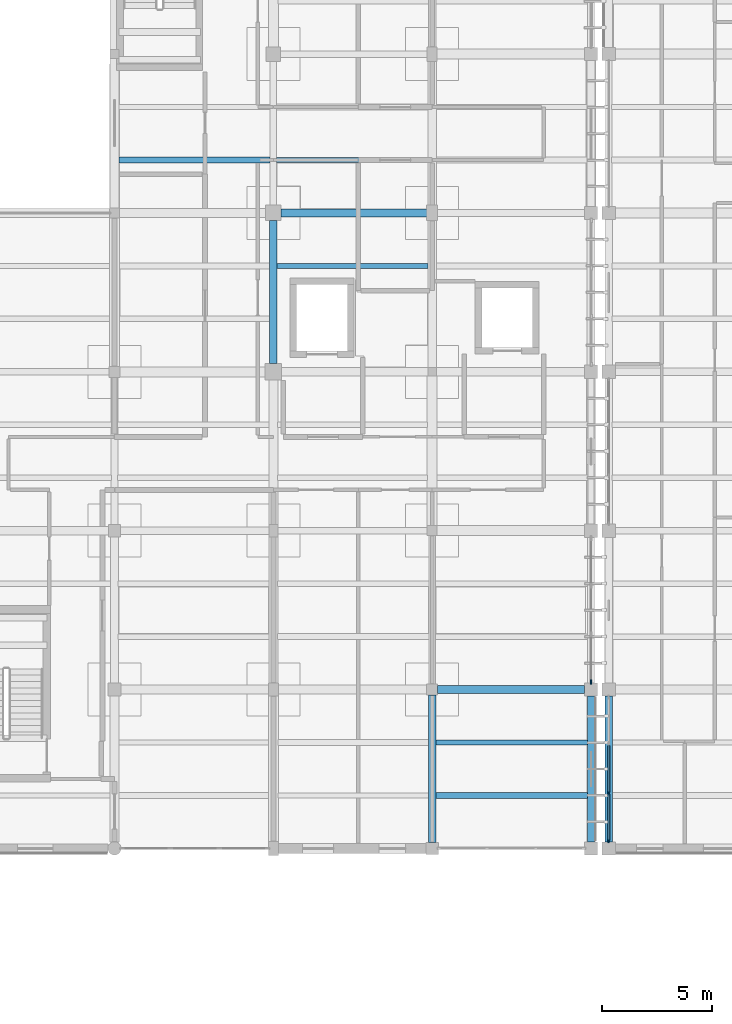
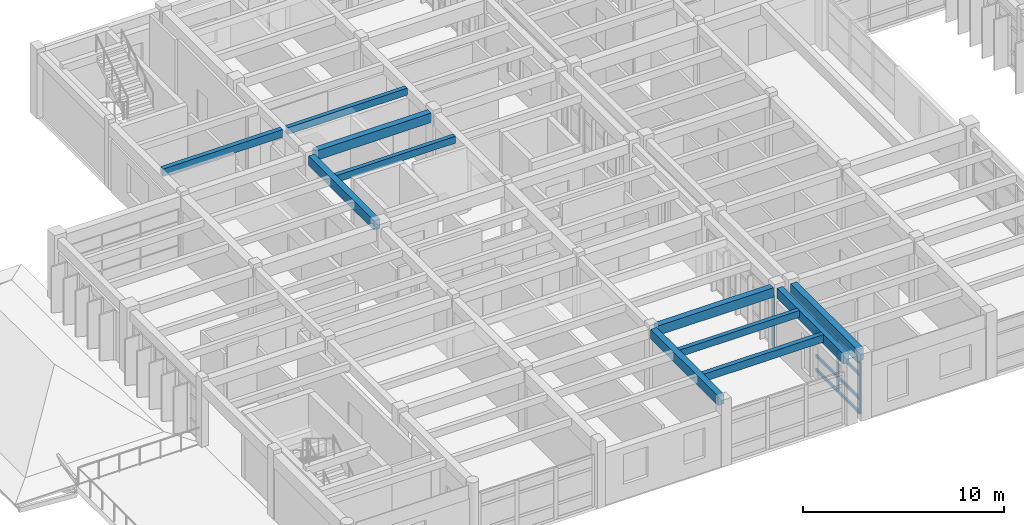
# One storey, part 17 of 100: 11 beams, 11 members, 2 elements without a shape of their own.
"""IFC4 building model written with IfcOpenShell, lengths in metres."""

import ifcopenshell
import ifcopenshell.guid

model = None  # the IFC model being written
_history = None  # IfcOwnerHistory: only IFC2X3 demands one
_inside = {}  # id of a spatial element -> (the spatial element, [elements in it])
_under = {}  # id of a project, library or spatial element -> (it, [spatial elements below it])
_declared = {}  # id of a project -> (the project, [libraries it declares])
_typed = {}  # id of a type object -> (the type object, [elements of that type])
_made_of = {}  # id of a material, layer set ... -> (it, [elements and type objects made of it])


def new_model(schema):
    """Start an empty IFC model of exactly this schema.

    Asked for "IFC4X3", IfcOpenShell would pick the latest addendum, in which some entities
    have other attributes; the version numbers below select the first issue.
    IFC2X3 requires an IfcOwnerHistory on every rooted entity: one is made here for all.
    """
    global model, _history
    if schema == "IFC4X3":
        model = ifcopenshell.file(schema_version=(4, 3, 0, 0))
    else:
        model = ifcopenshell.file(schema=schema)
    _inside.clear()
    _under.clear()
    _declared.clear()
    _typed.clear()
    _made_of.clear()
    _history = None
    if model.schema == "IFC2X3":
        org = make("IfcOrganization", Name="unknown")
        user = make(
            "IfcPersonAndOrganization",
            ThePerson=make("IfcPerson", FamilyName="unknown"),
            TheOrganization=org,
        )
        app = make(
            "IfcApplication",
            ApplicationDeveloper=org,
            Version="unknown",
            ApplicationFullName="unknown",
            ApplicationIdentifier="unknown",
        )
        _history = make(
            "IfcOwnerHistory",
            OwningUser=user,
            OwningApplication=app,
            ChangeAction="ADDED",
            CreationDate=0,
        )
    return model


def make(cls, **values):
    """One entity of the class cls with the attributes given. An attribute that is None is left unset."""
    return model.create_entity(
        cls, **{name: value for name, value in values.items() if value is not None}
    )


def rooted(cls, **values):
    """An entity with a GlobalId (a new one), such as an element, a storey or a relation."""
    return make(cls, GlobalId=ifcopenshell.guid.new(), OwnerHistory=_history, **values)


def si_unit(unit_type, name, prefix=None):
    """IfcSIUnit, for example si_unit("LENGTHUNIT", "METRE", prefix="MILLI")."""
    return make("IfcSIUnit", UnitType=unit_type, Prefix=prefix, Name=name)


def assignment(units):
    """IfcUnitAssignment: the units of a project."""
    return None if units is None else make("IfcUnitAssignment", Units=units)


def point(xyz):
    """IfcCartesianPoint."""
    return None if xyz is None else make("IfcCartesianPoint", Coordinates=xyz)


def direction(xyz):
    """IfcDirection."""
    return None if xyz is None else make("IfcDirection", DirectionRatios=xyz)


def frame(location, z_axis=None, x_axis=None):
    """IfcAxis2Placement3D, a coordinate frame: its origin and axes. An axis left out is left unset."""
    return make(
        "IfcAxis2Placement3D",
        Location=point(location),
        Axis=direction(z_axis),
        RefDirection=direction(x_axis),
    )


def frame_2d(location, x_axis=None):
    """IfcAxis2Placement2D, a coordinate frame in the plane: its origin and x axis."""
    return make(
        "IfcAxis2Placement2D", Location=point(location), RefDirection=direction(x_axis)
    )


def origin():
    """The frame at (0, 0, 0) with its axes left unset."""
    return frame((0.0, 0.0, 0.0))


def origin_2d():
    """The frame at (0, 0) in the plane with its x axis left unset."""
    return frame_2d((0.0, 0.0))


def place(relative_to, where):
    """IfcLocalPlacement: puts the frame where relative to a parent placement (None: the world)."""
    return make(
        "IfcLocalPlacement", PlacementRelTo=relative_to, RelativePlacement=where
    )


def context(
    kind, dimensions, precision=None, world=None, true_north=None, identifier=None
):
    """IfcGeometricRepresentationContext, for example the 3D "Model" context."""
    return make(
        "IfcGeometricRepresentationContext",
        ContextIdentifier=identifier,
        ContextType=kind,
        CoordinateSpaceDimension=dimensions,
        Precision=precision,
        WorldCoordinateSystem=world,
        TrueNorth=true_north,
    )


def subcontext(parent, identifier, kind, view, scale=None):
    """IfcGeometricRepresentationSubContext, for example "Body" below "Model"."""
    return make(
        "IfcGeometricRepresentationSubContext",
        ContextIdentifier=identifier,
        ContextType=kind,
        ParentContext=parent,
        TargetScale=scale,
        TargetView=view,
    )


def project(units=None, contexts=None):
    """IfcProject with its units and contexts."""
    return rooted(
        "IfcProject",
        Name="project",
        RepresentationContexts=contexts,
        UnitsInContext=assignment(units),
    )


def spatial(cls, under=None, at=None, **own):
    """A site, building, storey or space (cls), placed at a placement, below another one or the project."""
    s = rooted(cls, ObjectPlacement=at, **own)
    if under is not None:
        _under.setdefault(under.id(), (under, []))[1].append(s)
    return s


def profile(cls, at=None, kind="AREA", **sizes):
    """A parametric profile (cls). Its sizes go by their IFC names, for example OverallWidth=200.0."""
    return make(cls, ProfileType=kind, Position=at, **sizes)


def rectangle(**sizes):
    """IfcRectangleProfileDef."""
    return profile("IfcRectangleProfileDef", **sizes)


def extrude(swept, where, along, depth):
    """IfcExtrudedAreaSolid: the profile swept, set in the frame where, extruded along a direction by depth."""
    return make(
        "IfcExtrudedAreaSolid",
        SweptArea=swept,
        Position=where,
        ExtrudedDirection=direction(along),
        Depth=depth,
    )


def shape(context_of_items, identifier, shape_type, items):
    """IfcShapeRepresentation: the items that make up one representation, for example the "Body"."""
    return make(
        "IfcShapeRepresentation",
        ContextOfItems=context_of_items,
        RepresentationIdentifier=identifier,
        RepresentationType=shape_type,
        Items=items,
    )


def material(Name=None, Category=None):
    """IfcMaterial."""
    return make("IfcMaterial", Name=Name, Category=Category)


def material_profile(
    of_material, cross_section, Name=None, Category=None, Priority=None
):
    """IfcMaterialProfile: a cross section and its material."""
    return make(
        "IfcMaterialProfile",
        Name=Name,
        Material=of_material,
        Profile=cross_section,
        Priority=Priority,
        Category=Category,
    )


def profile_set(profiles, Name=None, composite=None):
    """IfcMaterialProfileSet."""
    return make(
        "IfcMaterialProfileSet",
        Name=Name,
        MaterialProfiles=profiles,
        CompositeProfile=composite,
    )


def made_of(thing, what):
    """Note that an element or type object is made of a material, layer set ...; save() writes the relation."""
    if what is not None:
        _made_of.setdefault(what.id(), (what, []))[1].append(thing)
    return thing


def type_object(cls, material=None, **own):
    """A type object (cls), such as IfcWallType, which elements share."""
    return made_of(rooted(cls, **own), material)


def element(
    cls,
    number,
    at=None,
    inside=None,
    cuts=None,
    type_object=None,
    material=None,
    context=None,
    identifier="Body",
    shape_type=None,
    held_by="IfcProductDefinitionShape",
    body=None,
    shapes=None,
    **own,
):
    """One element of the class cls, such as IfcWall. Its Tag is "e" and its number.

    at: its placement. inside: the storey or other place that contains it. cuts: it is an
    opening in that element (IfcRelVoidsElement). A single representation is given by context,
    identifier, shape_type and body (its items); several are given by shapes. held_by: the class
    of the entity that holds the representations. save() writes the other relations.
    """
    e = rooted(cls, Tag="e%d" % number, ObjectPlacement=at, **own)
    if body is not None:
        shapes = [shape(context, identifier, shape_type, body)]
    if shapes is not None:
        e.Representation = make(held_by, Representations=shapes)
    if inside is not None:
        _inside.setdefault(inside.id(), (inside, []))[1].append(e)
    if cuts is not None:
        rooted(
            "IfcRelVoidsElement", RelatingBuildingElement=cuts, RelatedOpeningElement=e
        )
    if type_object is not None:
        _typed.setdefault(type_object.id(), (type_object, []))[1].append(e)
    return made_of(e, material)


def aggregate(whole, parts):
    """IfcRelAggregates: a whole, such as a stair, and the parts it consists of."""
    return rooted("IfcRelAggregates", RelatingObject=whole, RelatedObjects=parts)


def save(model, path):
    """Write the relations noted so far, then the file.

    IfcRelAggregates (storeys below a building ...), IfcRelContainedInSpatialStructure (elements
    in a storey), IfcRelDefinesByType, IfcRelAssociatesMaterial and IfcRelDeclares: one each for
    every whole, place, type object, material and project.
    """
    for whole, parts in _under.values():
        aggregate(whole, parts)
    for where, things in _inside.values():
        rooted(
            "IfcRelContainedInSpatialStructure",
            RelatedElements=things,
            RelatingStructure=where,
        )
    for kind, things in _typed.values():
        rooted("IfcRelDefinesByType", RelatedObjects=things, RelatingType=kind)
    for what, things in _made_of.values():
        rooted("IfcRelAssociatesMaterial", RelatedObjects=things, RelatingMaterial=what)
    for by, libraries in _declared.values():
        rooted("IfcRelDeclares", RelatingContext=by, RelatedDefinitions=libraries)
    model.write(path)


model = new_model("IFC4")

# Units and contexts
model_context = context("Model", 3, precision=1e-05, world=origin(), true_north=direction((0.0, 1.0)))
body_context = subcontext(model_context, "Body", "Model", "MODEL_VIEW")
ifc_project = project(units=[si_unit("LENGTHUNIT", "METRE"), si_unit("AREAUNIT", "SQUARE_METRE"), si_unit("VOLUMEUNIT", "CUBIC_METRE"), si_unit("PLANEANGLEUNIT", "RADIAN"), si_unit("MASSUNIT", "GRAM", prefix="KILO")], contexts=[model_context])

# Site, building, storey
site_placement = place(None, origin())
site = spatial("IfcSite", under=ifc_project, at=site_placement, CompositionType="ELEMENT")
building_placement = place(site_placement, origin())
building = spatial("IfcBuilding", under=site, at=building_placement, Name="Steenspoor Specialist Clinic", CompositionType="ELEMENT")
storey_placement = place(building_placement, frame((0.0, 0.0, 9.0)))
storey = spatial("IfcBuildingStorey", under=building, at=storey_placement, Name="L02", CompositionType="ELEMENT", Elevation=9.0)

# Beams
ifc_material_1 = material(Name="Concrete C35/45", Category="concrete")
ifc_material_profile_1 = material_profile(ifc_material_1, rectangle(XDim=0.35009765625, YDim=0.580078125, at=origin_2d()), Name="RC-BM-350X580")
ifc_profile_set_1 = profile_set([ifc_material_profile_1], Name="Concrete C35/45")
beam_type_1 = type_object("IfcBeamType", Name="BM-RC-350X580", PredefinedType="BEAM", material=ifc_profile_set_1)
beam_1_placement = place(storey_placement, frame((44.64501953125, 72.35009765625, 3.659912109375), z_axis=(1.0, 0.0, 0.0), x_axis=(0.0, 1.0, 0.0)))
element("IfcBeam", 1, at=beam_1_placement, inside=storey, type_object=beam_type_1, Name="BM-V5-L02-X1252", PredefinedType="BEAM", context=body_context, shape_type="SweptSolid", body=[
    extrude(rectangle(XDim=0.35009765625, YDim=0.580078125, at=origin_2d()), origin(), (0.0, 0.0, 1.0), 6.659912109375),
])
beam_2_placement = place(storey_placement, frame((37.544921875, 93.949951171875, 3.659912109375), z_axis=(1.0, 0.0, 0.0), x_axis=(0.0, 1.0, 0.0)))
element("IfcBeam", 2, at=beam_2_placement, inside=storey, type_object=beam_type_1, Name="BM-V5-L02-X1263", PredefinedType="BEAM", context=body_context, shape_type="SweptSolid", body=[
    extrude(rectangle(XDim=0.35009765625, YDim=0.580078125, at=origin_2d()), origin(), (0.0, 0.0, 1.0), 6.610107421875),
])
beam_3_placement = place(storey_placement, frame((37.199951171875, 87.1201171875, 3.659912109375), z_axis=(0.0, 1.0, 0.0), x_axis=(-1.0, 0.0, 0.0)))
element("IfcBeam", 3, at=beam_3_placement, inside=storey, type_object=beam_type_1, Name="BM-V5-L02-Y1283", PredefinedType="BEAM", context=body_context, shape_type="SweptSolid", body=[
    extrude(rectangle(XDim=0.35009765625, YDim=0.580078125, at=origin_2d()), origin(), (0.0, 0.0, 1.0), 6.48486328125),
])
beam_4_placement = place(storey_placement, frame((44.39990234375, 65.419921875, 3.659912109375), z_axis=(0.0, 1.0, 0.0), x_axis=(-1.0, 0.0, 0.0)))
element("IfcBeam", 4, at=beam_4_placement, inside=storey, type_object=beam_type_1, Name="BM-V5-L02-Y1286", PredefinedType="BEAM", context=body_context, shape_type="SweptSolid", body=[
    extrude(rectangle(XDim=0.35009765625, YDim=0.580078125, at=origin_2d()), origin(), (0.0, 0.0, 1.0), 6.68505859375),
])

# Curtain wall, members
ifc_material_2 = material(Name="Thermally broken aluminium and low-emissivity glass", Category="aluminium")
curtain_wall_type_1 = type_object("IfcCurtainWallType", Name="CW-L00-240X415", PredefinedType="USERDEFINED", material=ifc_material_2)
curtain_wall_1_placement = place(storey_placement, origin())
curtain_wall_1 = element("IfcCurtainWall", 5, at=curtain_wall_1_placement, inside=storey, type_object=curtain_wall_type_1, Name="Unitised Curtain Wall CW-V4-L02-104", ObjectType="UNITISED GLAZING", PredefinedType="USERDEFINED")
ifc_material_3 = material(Name="Thermally broken aluminium 6063-T6", Category="aluminium")
ifc_material_profile_2 = material_profile(ifc_material_3, rectangle(XDim=0.070068359375, YDim=0.1650390625, at=origin_2d()), Name="CWM-70X165")
ifc_profile_set_2 = profile_set([ifc_material_profile_2], Name="Thermally broken aluminium 6063-T6")
member_type_1 = type_object("IfcMemberType", Name="CW-MULL-70X165", PredefinedType="MULLION", material=ifc_profile_set_2)
member_1_placement = place(storey_placement, frame((52.39990234375, 65.485107421875, 0.0), z_axis=(0.0, 0.0, 1.0), x_axis=(-1.0, 0.0, 0.0)))
member_1 = element("IfcMember", 6, at=member_1_placement, type_object=member_type_1, Name="CW-08 mullion 1", PredefinedType="MULLION", context=body_context, shape_type="SweptSolid", body=[
    extrude(rectangle(XDim=0.070068359375, YDim=0.1650390625, at=origin_2d()), origin(), (0.0, 0.0, 1.0), 3.1298828125),
])
member_2_placement = place(storey_placement, frame((52.39990234375, 67.64990234375, 0.0), z_axis=(0.0, 0.0, 1.0), x_axis=(-1.0, 0.0, 0.0)))
member_2 = element("IfcMember", 7, at=member_2_placement, type_object=member_type_1, Name="CW-08 mullion 2", PredefinedType="MULLION", context=body_context, shape_type="SweptSolid", body=[
    extrude(rectangle(XDim=0.070068359375, YDim=0.1650390625, at=origin_2d()), origin(), (0.0, 0.0, 1.0), 3.1298828125),
])

# Curtain wall, member
curtain_wall_type_2 = type_object("IfcCurtainWallType", Name="CW-TYP-480X355", PredefinedType="USERDEFINED", material=ifc_material_2)
curtain_wall_2_placement = place(storey_placement, origin())
curtain_wall_2 = element("IfcCurtainWall", 8, at=curtain_wall_2_placement, inside=storey, type_object=curtain_wall_type_2, Name="Unitised Curtain Wall CW-V5-L02-156", ObjectType="UNITISED GLAZING", PredefinedType="USERDEFINED")
ifc_material_profile_3 = material_profile(ifc_material_3, rectangle(XDim=0.080078125, YDim=0.219970703125, at=origin_2d()), Name="CWM-80X220")
ifc_profile_set_3 = profile_set([ifc_material_profile_3], Name="Thermally broken aluminium 6063-T6")
member_type_2 = type_object("IfcMemberType", Name="CW-MULL-80X220", PredefinedType="MULLION", material=ifc_profile_set_3)
member_3_placement = place(storey_placement, frame((51.60009765625, 72.68994140625, 0.0), z_axis=(0.0, 0.0, 1.0), x_axis=(1.0, 0.0, 0.0)))
member_3 = element("IfcMember", 9, at=member_3_placement, type_object=member_type_2, Name="CW-12 mullion 4", PredefinedType="MULLION", context=body_context, shape_type="SweptSolid", body=[
    extrude(rectangle(XDim=0.080078125, YDim=0.219970703125, at=origin_2d()), origin(), (0.0, 0.0, 1.0), 3.1298828125),
])
aggregate(curtain_wall_2, [member_3])

# Member
ifc_material_profile_4 = material_profile(ifc_material_3, rectangle(XDim=0.090087890625, YDim=0.175048828125, at=origin_2d()), Name="CWT-90X175")
ifc_profile_set_4 = profile_set([ifc_material_profile_4], Name="Thermally broken aluminium 6063-T6")
member_type_3 = type_object("IfcMemberType", Name="CW-TRAN-90X175", PredefinedType="USERDEFINED", material=ifc_profile_set_4)
member_4_placement = place(storey_placement, frame((52.39990234375, 65.52001953125, 0.044921875), z_axis=(0.0, 1.0, 0.0), x_axis=(-1.0, 0.0, 0.0)))
member_4 = element("IfcMember", 10, at=member_4_placement, type_object=member_type_3, Name="CW-08 transom 1.1", ObjectType="TRANSOM", PredefinedType="USERDEFINED", context=body_context, shape_type="SweptSolid", body=[
    extrude(rectangle(XDim=0.090087890625, YDim=0.175048828125, at=origin_2d()), origin(), (0.0, 0.0, 1.0), 2.094970703125),
])

member_5_placement = place(storey_placement, frame((52.39990234375, 65.52001953125, 0.89990234375), z_axis=(0.0, 1.0, 0.0), x_axis=(-1.0, 0.0, 0.0)))
member_5 = element("IfcMember", 11, at=member_5_placement, type_object=member_type_3, Name="CW-08 transom 1.2", ObjectType="TRANSOM", PredefinedType="USERDEFINED", context=body_context, shape_type="SweptSolid", body=[
    extrude(rectangle(XDim=0.090087890625, YDim=0.175048828125, at=origin_2d()), origin(), (0.0, 0.0, 1.0), 2.094970703125),
])

member_6_placement = place(storey_placement, frame((52.39990234375, 65.52001953125, 2.35009765625), z_axis=(0.0, 1.0, 0.0), x_axis=(-1.0, 0.0, 0.0)))
member_6 = element("IfcMember", 12, at=member_6_placement, type_object=member_type_3, Name="CW-08 transom 1.3", ObjectType="TRANSOM", PredefinedType="USERDEFINED", context=body_context, shape_type="SweptSolid", body=[
    extrude(rectangle(XDim=0.090087890625, YDim=0.175048828125, at=origin_2d()), origin(), (0.0, 0.0, 1.0), 2.094970703125),
])

member_7_placement = place(storey_placement, frame((52.39990234375, 65.52001953125, 3.0849609375), z_axis=(0.0, 1.0, 0.0), x_axis=(-1.0, 0.0, 0.0)))
member_7 = element("IfcMember", 13, at=member_7_placement, type_object=member_type_3, Name="CW-08 transom 1.4", ObjectType="TRANSOM", PredefinedType="USERDEFINED", context=body_context, shape_type="SweptSolid", body=[
    extrude(rectangle(XDim=0.090087890625, YDim=0.175048828125, at=origin_2d()), origin(), (0.0, 0.0, 1.0), 2.094970703125),
])

member_8_placement = place(storey_placement, frame((52.39990234375, 67.68505859375, 0.044921875), z_axis=(0.0, 1.0, 0.0), x_axis=(-1.0, 0.0, 0.0)))
member_8 = element("IfcMember", 14, at=member_8_placement, type_object=member_type_3, Name="CW-08 transom 2.1", ObjectType="TRANSOM", PredefinedType="USERDEFINED", context=body_context, shape_type="SweptSolid", body=[
    extrude(rectangle(XDim=0.090087890625, YDim=0.175048828125, at=origin_2d()), origin(), (0.0, 0.0, 1.0), 2.1298828125),
])

member_9_placement = place(storey_placement, frame((52.39990234375, 67.68505859375, 0.89990234375), z_axis=(0.0, 1.0, 0.0), x_axis=(-1.0, 0.0, 0.0)))
member_9 = element("IfcMember", 15, at=member_9_placement, type_object=member_type_3, Name="CW-08 transom 2.2", ObjectType="TRANSOM", PredefinedType="USERDEFINED", context=body_context, shape_type="SweptSolid", body=[
    extrude(rectangle(XDim=0.090087890625, YDim=0.175048828125, at=origin_2d()), origin(), (0.0, 0.0, 1.0), 2.1298828125),
])

member_10_placement = place(storey_placement, frame((52.39990234375, 67.68505859375, 2.35009765625), z_axis=(0.0, 1.0, 0.0), x_axis=(-1.0, 0.0, 0.0)))
member_10 = element("IfcMember", 16, at=member_10_placement, type_object=member_type_3, Name="CW-08 transom 2.3", ObjectType="TRANSOM", PredefinedType="USERDEFINED", context=body_context, shape_type="SweptSolid", body=[
    extrude(rectangle(XDim=0.090087890625, YDim=0.175048828125, at=origin_2d()), origin(), (0.0, 0.0, 1.0), 2.1298828125),
])

member_11_placement = place(storey_placement, frame((52.39990234375, 67.68505859375, 3.0849609375), z_axis=(0.0, 1.0, 0.0), x_axis=(-1.0, 0.0, 0.0)))
member_11 = element("IfcMember", 17, at=member_11_placement, type_object=member_type_3, Name="CW-08 transom 2.4", ObjectType="TRANSOM", PredefinedType="USERDEFINED", context=body_context, shape_type="SweptSolid", body=[
    extrude(rectangle(XDim=0.090087890625, YDim=0.175048828125, at=origin_2d()), origin(), (0.0, 0.0, 1.0), 2.1298828125),
])

aggregate(curtain_wall_1, [member_1, member_2, member_4, member_5, member_6, member_7, member_8, member_9, member_10, member_11])

# Beams
ifc_material_profile_5 = material_profile(ifc_material_1, rectangle(XDim=0.239990234375, YDim=0.419921875, at=origin_2d()), Name="RC-JT-240X420")
ifc_profile_set_5 = profile_set([ifc_material_profile_5], Name="Concrete C35/45")
beam_type_2 = type_object("IfcBeamType", Name="JT-RC-240X420", PredefinedType="JOIST", material=ifc_profile_set_5)
beam_5_placement = place(storey_placement, frame((37.3701171875, 91.550048828125, 3.739990234375), z_axis=(1.0, 0.0, 0.0), x_axis=(0.0, 1.0, 0.0)))
element("IfcBeam", 18, at=beam_5_placement, inside=storey, type_object=beam_type_2, Name="JT-V5-L02-1320", PredefinedType="JOIST", context=body_context, shape_type="SweptSolid", body=[
    extrude(rectangle(XDim=0.239990234375, YDim=0.419921875, at=origin_2d()), origin(), (0.0, 0.0, 1.0), 6.8349609375),
])
beam_6_placement = place(storey_placement, frame((37.344970703125, 96.35009765625, 3.739990234375), z_axis=(1.0, 0.0, 0.0), x_axis=(0.0, 1.0, 0.0)))
element("IfcBeam", 19, at=beam_6_placement, inside=storey, type_object=beam_type_2, Name="JT-V5-L02-1321", PredefinedType="JOIST", context=body_context, shape_type="SweptSolid", body=[
    extrude(rectangle(XDim=0.239990234375, YDim=0.419921875, at=origin_2d()), origin(), (0.0, 0.0, 1.0), 6.860107421875),
])
beam_7_placement = place(storey_placement, frame((44.570068359375, 69.949951171875, 3.739990234375), z_axis=(1.0, 0.0, 0.0), x_axis=(0.0, 1.0, 0.0)))
element("IfcBeam", 20, at=beam_7_placement, inside=storey, type_object=beam_type_2, Name="JT-V5-L02-1326", PredefinedType="JOIST", context=body_context, shape_type="SweptSolid", body=[
    extrude(rectangle(XDim=0.239990234375, YDim=0.419921875, at=origin_2d()), origin(), (0.0, 0.0, 1.0), 6.875),
])
ifc_material_profile_6 = material_profile(ifc_material_1, rectangle(XDim=0.260009765625, YDim=0.4599609375, at=origin_2d()), Name="RC-JT-260X460")
ifc_profile_set_6 = profile_set([ifc_material_profile_6], Name="Concrete C35/45")
beam_type_3 = type_object("IfcBeamType", Name="JT-RC-260X460", PredefinedType="JOIST", material=ifc_profile_set_6)
beam_8_placement = place(storey_placement, frame((30.195068359375, 96.35009765625, 3.719970703125), z_axis=(1.0, 0.0, 0.0), x_axis=(0.0, 1.0, 0.0)))
element("IfcBeam", 21, at=beam_8_placement, inside=storey, type_object=beam_type_3, Name="JT-V5-L02-1312", PredefinedType="JOIST", context=body_context, shape_type="SweptSolid", body=[
    extrude(rectangle(XDim=0.260009765625, YDim=0.4599609375, at=origin_2d()), origin(), (0.0, 0.0, 1.0), 6.85986328125),
])
beam_9_placement = place(storey_placement, frame((44.570068359375, 67.550048828125, 3.719970703125), z_axis=(1.0, 0.0, 0.0), x_axis=(0.0, 1.0, 0.0)))
element("IfcBeam", 22, at=beam_9_placement, inside=storey, type_object=beam_type_3, Name="JT-V5-L02-1325", PredefinedType="JOIST", context=body_context, shape_type="SweptSolid", body=[
    extrude(rectangle(XDim=0.260009765625, YDim=0.4599609375, at=origin_2d()), origin(), (0.0, 0.0, 1.0), 6.875),
])
ifc_material_profile_7 = material_profile(ifc_material_1, rectangle(XDim=0.320068359375, YDim=0.60009765625, at=origin_2d()), Name="RC-SP-320X600")
ifc_profile_set_7 = profile_set([ifc_material_profile_7], Name="Concrete C35/45")
beam_type_4 = type_object("IfcBeamType", Name="SP-RC-320X600", PredefinedType="SPANDREL", material=ifc_profile_set_7)
beam_10_placement = place(storey_placement, frame((51.60009765625, 65.445068359375, 3.64990234375), z_axis=(0.0, 1.0, 0.0), x_axis=(-1.0, 0.0, 0.0)))
element("IfcBeam", 23, at=beam_10_placement, inside=storey, type_object=beam_type_4, Name="BM-V5-L02-Y1292", PredefinedType="SPANDREL", context=body_context, shape_type="SweptSolid", body=[
    extrude(rectangle(XDim=0.320068359375, YDim=0.60009765625, at=origin_2d()), origin(), (0.0, 0.0, 1.0), 6.60986328125),
])
ifc_material_profile_8 = material_profile(ifc_material_1, rectangle(XDim=0.360107421875, YDim=0.719970703125, at=origin_2d()), Name="RC-SP-360X720")
ifc_profile_set_8 = profile_set([ifc_material_profile_8], Name="Concrete C35/45")
beam_type_5 = type_object("IfcBeamType", Name="SP-RC-360X720", PredefinedType="SPANDREL", material=ifc_profile_set_8)
beam_11_placement = place(storey_placement, frame((52.39990234375, 65.445068359375, 3.590087890625), z_axis=(0.0, 1.0, 0.0), x_axis=(-1.0, 0.0, 0.0)))
element("IfcBeam", 24, at=beam_11_placement, inside=storey, type_object=beam_type_5, Name="BM-V4-L02-Y0685", PredefinedType="SPANDREL", context=body_context, shape_type="SweptSolid", body=[
    extrude(rectangle(XDim=0.360107421875, YDim=0.719970703125, at=origin_2d()), origin(), (0.0, 0.0, 1.0), 6.60986328125),
])

save(model, "model.ifc")
